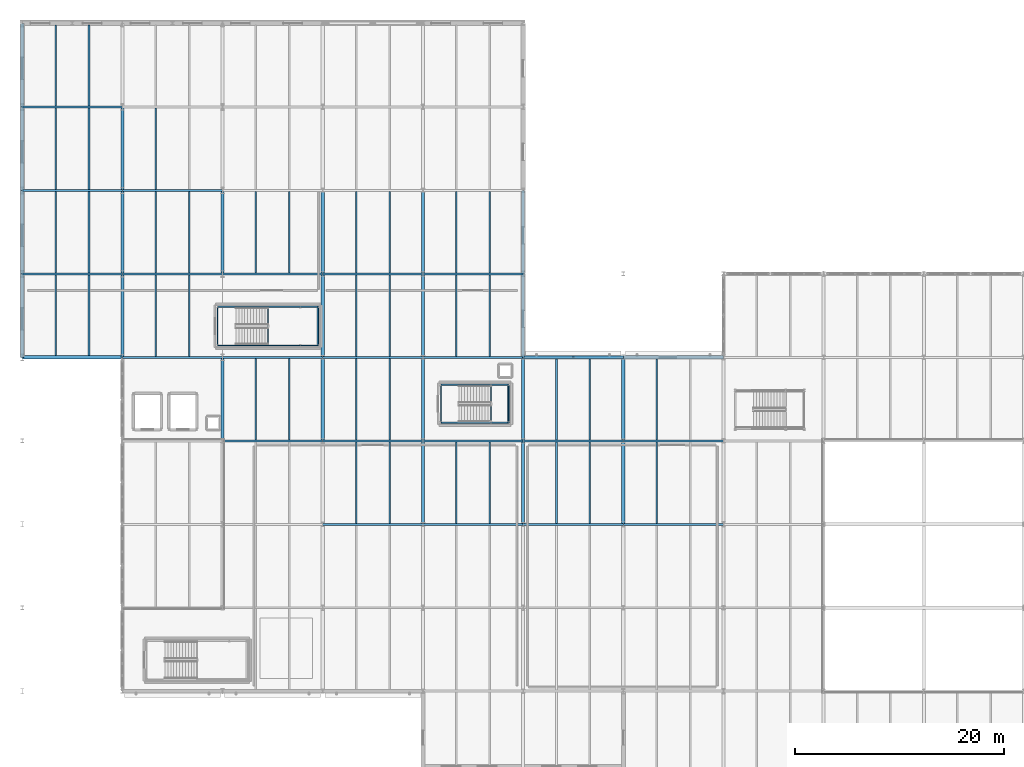
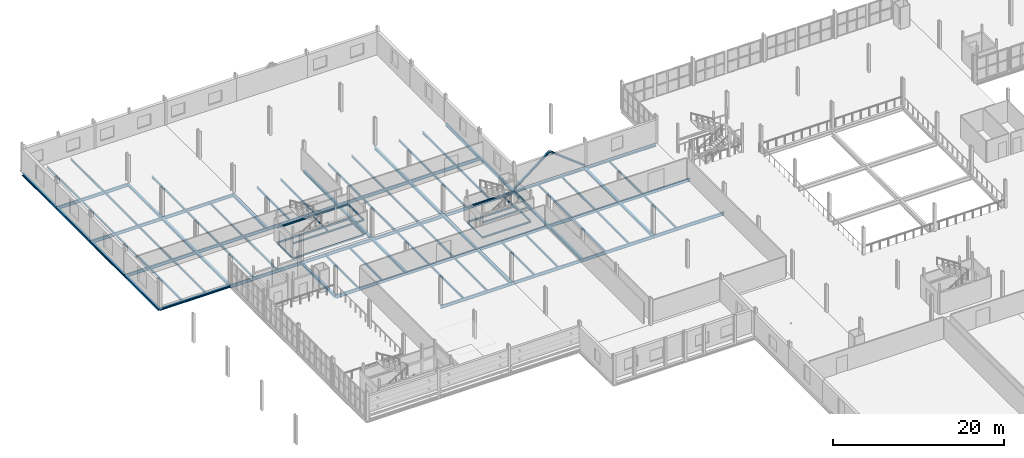
# One storey, part 37 of 78: 99 beams, 2 members.
"""IFC4 building model written with IfcOpenShell, lengths in metres."""

from ifc_helpers import new_model, si_unit, direction, frame, origin, origin_2d, place, context, subcontext, project, spatial, i_section, extrude, material, material_profile, profile_set, type_object, element, save


model = new_model("IFC4")

# Units and contexts
model_context = context("Model", 3, precision=1e-05, world=origin(), true_north=direction((0.0, 1.0)))
body_context = subcontext(model_context, "Body", "Model", "MODEL_VIEW")
ifc_project = project(units=[si_unit("LENGTHUNIT", "METRE"), si_unit("AREAUNIT", "SQUARE_METRE"), si_unit("VOLUMEUNIT", "CUBIC_METRE"), si_unit("PLANEANGLEUNIT", "RADIAN"), si_unit("MASSUNIT", "GRAM", prefix="KILO")], contexts=[model_context])

# Site, building, storey
site_placement = place(None, origin())
site = spatial("IfcSite", under=ifc_project, at=site_placement, CompositionType="ELEMENT")
building_placement = place(site_placement, origin())
building = spatial("IfcBuilding", under=site, at=building_placement, Name="Alderhovde Museum", CompositionType="ELEMENT")
storey_placement = place(building_placement, frame((0.0, 0.0, 4.5)))
storey = spatial("IfcBuildingStorey", under=building, at=storey_placement, Name="L01", CompositionType="ELEMENT", Elevation=4.5)

# Beams
ifc_material_1 = material(Name="Steel S355J2", Category="steel")
ifc_material_profile_1 = material_profile(ifc_material_1, i_section(OverallWidth=0.300048828125, OverallDepth=0.330078125, WebThickness=0.009521484375, FlangeThickness=0.0166015625, FilletRadius=0.027099609375, at=origin_2d()), Name="HEA 340")
ifc_profile_set_1 = profile_set([ifc_material_profile_1], Name="Steel S355J2")
beam_type_1 = type_object("IfcBeamType", Name="BM-HEA340", PredefinedType="BEAM", material=ifc_profile_set_1)
for number, where, z_axis, x_axis, name in (
    (1, (9.60009765625, 80.0, -0.425048828125), (0.0, 1.0, 0.0), (-1.0, 0.0, 0.0), "L01 Grid Beam X=9.6 (80.0 TO 88.0)"),
    (2, (9.60009765625, 88.0, -0.425048828125), (0.0, 1.0, 0.0), (-1.0, 0.0, 0.0), "L01 Grid Beam X=9.6 (88.0 TO 96.0)"),
    (3, (9.60009765625, 96.0, -0.425048828125), (0.0, 1.0, 0.0), (-1.0, 0.0, 0.0), "L01 Grid Beam X=9.6 (96.0 TO 104.0)"),
    (4, (9.60009765625, 104.0, -0.425048828125), (0.0, 1.0, 0.0), (-1.0, 0.0, 0.0), "L01 Grid Beam X=9.6 (104.0 TO 112.0)"),
    (5, (19.199951171875, 80.0, -0.425048828125), (0.0, 1.0, 0.0), (-1.0, 0.0, 0.0), "L01 Grid Beam X=19.2 (80.0 TO 88.0)"),
    (6, (19.199951171875, 88.0, -0.425048828125), (0.0, 1.0, 0.0), (-1.0, 0.0, 0.0), "L01 Grid Beam X=19.2 (88.0 TO 96.0)"),
    (7, (19.199951171875, 96.0, -0.425048828125), (0.0, 1.0, 0.0), (-1.0, 0.0, 0.0), "L01 Grid Beam X=19.2 (96.0 TO 104.0)"),
    (8, (28.800048828125, 72.0, -0.425048828125), (0.0, 1.0, 0.0), (-1.0, 0.0, 0.0), "L01 Grid Beam X=28.8 (72.0 TO 80.0)"),
    (9, (28.800048828125, 88.0, -0.425048828125), (0.0, 1.0, 0.0), (-1.0, 0.0, 0.0), "L01 Grid Beam X=28.8 (88.0 TO 96.0)"),
    (10, (38.39990234375, 72.0, -0.425048828125), (0.0, 1.0, 0.0), (-1.0, 0.0, 0.0), "L01 Grid Beam X=38.4 (72.0 TO 80.0)"),
    (11, (38.39990234375, 80.0, -0.425048828125), (0.0, 1.0, 0.0), (-1.0, 0.0, 0.0), "L01 Grid Beam X=38.4 (80.0 TO 88.0)"),
    (12, (38.39990234375, 88.0, -0.425048828125), (0.0, 1.0, 0.0), (-1.0, 0.0, 0.0), "L01 Grid Beam X=38.4 (88.0 TO 96.0)"),
    (13, (48.0, 64.0, -0.425048828125), (0.0, 1.0, 0.0), (-1.0, 0.0, 0.0), "L01 Grid Beam X=48.0 (64.0 TO 72.0)"),
    (14, (48.0, 72.0, -0.425048828125), (0.0, 1.0, 0.0), (-1.0, 0.0, 0.0), "L01 Grid Beam X=48.0 (72.0 TO 80.0)"),
    (15, (48.0, 80.0, -0.425048828125), (0.0, 1.0, 0.0), (-1.0, 0.0, 0.0), "L01 Grid Beam X=48.0 (80.0 TO 88.0)"),
    (16, (48.0, 88.0, -0.425048828125), (0.0, 1.0, 0.0), (-1.0, 0.0, 0.0), "L01 Grid Beam X=48.0 (88.0 TO 96.0)"),
    (17, (57.60009765625, 64.0, -0.425048828125), (0.0, 1.0, 0.0), (-1.0, 0.0, 0.0), "L01 Grid Beam X=57.6 (64.0 TO 72.0)"),
    (18, (57.60009765625, 72.0, -0.425048828125), (0.0, 1.0, 0.0), (-1.0, 0.0, 0.0), "L01 Grid Beam X=57.6 (72.0 TO 80.0)"),
    (19, (57.60009765625, 80.0, -0.425048828125), (0.0, 1.0, 0.0), (-1.0, 0.0, 0.0), "L01 Grid Beam X=57.6 (80.0 TO 88.0)"),
    (20, (57.60009765625, 88.0, -0.425048828125), (0.0, 1.0, 0.0), (-1.0, 0.0, 0.0), "L01 Grid Beam X=57.6 (88.0 TO 96.0)"),
    (21, (67.199951171875, 64.0, -0.425048828125), (0.0, 1.0, 0.0), (-1.0, 0.0, 0.0), "L01 Grid Beam X=67.2 (64.0 TO 72.0)"),
    (22, (67.199951171875, 72.0, -0.425048828125), (0.0, 1.0, 0.0), (-1.0, 0.0, 0.0), "L01 Grid Beam X=67.2 (72.0 TO 80.0)"),
):
    element("IfcBeam", number, at=place(storey_placement, frame(where, z_axis=z_axis, x_axis=x_axis)), inside=storey, type_object=beam_type_1, Name=name, PredefinedType="BEAM", context=body_context, shape_type="SweptSolid", body=[
        extrude(i_section(OverallWidth=0.300048828125, OverallDepth=0.330078125, WebThickness=0.009521484375, FlangeThickness=0.0166015625, FilletRadius=0.027099609375, at=origin_2d()), origin(), (0.0, 0.0, 1.0), 8.0),
    ])
ifc_material_2 = material(Name="Steel S355J2", Category="steel")
ifc_material_profile_2 = material_profile(ifc_material_2, i_section(OverallWidth=0.1201171875, OverallDepth=0.239990234375, WebThickness=0.006103515625, FlangeThickness=0.009765625, FilletRadius=0.014892578125, at=origin_2d()), Name="IPE 240")
ifc_profile_set_2 = profile_set([ifc_material_profile_2], Name="Steel S355J2")
beam_type_2 = type_object("IfcBeamType", Name="BM-IPE240", PredefinedType="BEAM", material=ifc_profile_set_2)
for number, where, z_axis, x_axis, name in (
    (23, (28.320068359375, 81.1201171875, -0.3798828125), (1.0, 0.0, 0.0), (0.0, 1.0, 0.0), "L01 Stair ST2 Floor Trimmer S"),
    (24, (28.320068359375, 84.840087890625, -0.3798828125), (1.0, 0.0, 0.0), (0.0, 1.0, 0.0), "L01 Stair ST2 Floor Trimmer N"),
):
    element("IfcBeam", number, at=place(storey_placement, frame(where, z_axis=z_axis, x_axis=x_axis)), inside=storey, type_object=beam_type_2, Name=name, PredefinedType="BEAM", context=body_context, shape_type="SweptSolid", body=[
        extrude(i_section(OverallWidth=0.1201171875, OverallDepth=0.239990234375, WebThickness=0.006103515625, FlangeThickness=0.009765625, FilletRadius=0.014892578125, at=origin_2d()), origin(), (0.0, 0.0, 1.0), 9.679931640625),
    ])
for number, where, z_axis, x_axis, name in (
    (25, (28.320068359375, 81.1201171875, -0.3798828125), (0.0, 1.0, 0.0), (-1.0, 0.0, 0.0), "L01 Stair ST2 Floor Trimmer W"),
    (26, (38.0, 81.1201171875, -0.3798828125), (0.0, 1.0, 0.0), (-1.0, 0.0, 0.0), "L01 Stair ST2 Floor Trimmer E"),
):
    element("IfcBeam", number, at=place(storey_placement, frame(where, z_axis=z_axis, x_axis=x_axis)), inside=storey, type_object=beam_type_2, Name=name, PredefinedType="BEAM", context=body_context, shape_type="SweptSolid", body=[
        extrude(i_section(OverallWidth=0.1201171875, OverallDepth=0.239990234375, WebThickness=0.006103515625, FlangeThickness=0.009765625, FilletRadius=0.014892578125, at=origin_2d()), origin(), (0.0, 0.0, 1.0), 3.719970703125),
    ])
for number, where, z_axis, x_axis, name in (
    (27, (28.320068359375, 81.1201171875, 1.780029296875), (1.0, 0.0, 0.0), (0.0, 1.0, 0.0), "L01 Stair ST2 Landing 1 Beam S"),
    (28, (28.320068359375, 84.840087890625, 1.780029296875), (1.0, 0.0, 0.0), (0.0, 1.0, 0.0), "L01 Stair ST2 Landing 1 Beam N"),
):
    element("IfcBeam", number, at=place(storey_placement, frame(where, z_axis=z_axis, x_axis=x_axis)), inside=storey, type_object=beam_type_2, Name=name, PredefinedType="BEAM", context=body_context, shape_type="SweptSolid", body=[
        extrude(i_section(OverallWidth=0.1201171875, OverallDepth=0.239990234375, WebThickness=0.006103515625, FlangeThickness=0.009765625, FilletRadius=0.014892578125, at=origin_2d()), origin(), (0.0, 0.0, 1.0), 9.679931640625),
    ])
for number, where, z_axis, x_axis, name in (
    (29, (33.159912109375, 81.1201171875, 1.780029296875), (0.0, 1.0, 0.0), (-1.0, 0.0, 0.0), "L01 Stair ST2 Landing 1 Beam W"),
    (30, (37.919921875, 81.1201171875, 1.780029296875), (0.0, 1.0, 0.0), (-1.0, 0.0, 0.0), "L01 Stair ST2 Landing 1 Beam E"),
):
    element("IfcBeam", number, at=place(storey_placement, frame(where, z_axis=z_axis, x_axis=x_axis)), inside=storey, type_object=beam_type_2, Name=name, PredefinedType="BEAM", context=body_context, shape_type="SweptSolid", body=[
        extrude(i_section(OverallWidth=0.1201171875, OverallDepth=0.239990234375, WebThickness=0.006103515625, FlangeThickness=0.009765625, FilletRadius=0.014892578125, at=origin_2d()), origin(), (0.0, 0.0, 1.0), 3.719970703125),
    ])
for number, where, z_axis, x_axis, name in (
    (31, (49.719970703125, 73.719970703125, -0.3798828125), (1.0, 0.0, 0.0), (0.0, 1.0, 0.0), "L01 Stair ST6 Floor Trimmer S"),
    (32, (49.719970703125, 77.360107421875, -0.3798828125), (1.0, 0.0, 0.0), (0.0, 1.0, 0.0), "L01 Stair ST6 Floor Trimmer N"),
):
    element("IfcBeam", number, at=place(storey_placement, frame(where, z_axis=z_axis, x_axis=x_axis)), inside=storey, type_object=beam_type_2, Name=name, PredefinedType="BEAM", context=body_context, shape_type="SweptSolid", body=[
        extrude(i_section(OverallWidth=0.1201171875, OverallDepth=0.239990234375, WebThickness=0.006103515625, FlangeThickness=0.009765625, FilletRadius=0.014892578125, at=origin_2d()), origin(), (0.0, 0.0, 1.0), 6.52001953125),
    ])
for number, where, z_axis, x_axis, name in (
    (33, (49.719970703125, 73.719970703125, -0.3798828125), (0.0, 1.0, 0.0), (-1.0, 0.0, 0.0), "L01 Stair ST6 Floor Trimmer W"),
    (34, (56.239990234375, 73.719970703125, -0.3798828125), (0.0, 1.0, 0.0), (-1.0, 0.0, 0.0), "L01 Stair ST6 Floor Trimmer E"),
):
    element("IfcBeam", number, at=place(storey_placement, frame(where, z_axis=z_axis, x_axis=x_axis)), inside=storey, type_object=beam_type_2, Name=name, PredefinedType="BEAM", context=body_context, shape_type="SweptSolid", body=[
        extrude(i_section(OverallWidth=0.1201171875, OverallDepth=0.239990234375, WebThickness=0.006103515625, FlangeThickness=0.009765625, FilletRadius=0.014892578125, at=origin_2d()), origin(), (0.0, 0.0, 1.0), 3.64013671875),
    ])
for number, where, z_axis, x_axis, name in (
    (35, (49.719970703125, 73.719970703125, 1.780029296875), (1.0, 0.0, 0.0), (0.0, 1.0, 0.0), "L01 Stair ST6 Landing 1 Beam S"),
    (36, (49.719970703125, 77.360107421875, 1.780029296875), (1.0, 0.0, 0.0), (0.0, 1.0, 0.0), "L01 Stair ST6 Landing 1 Beam N"),
):
    element("IfcBeam", number, at=place(storey_placement, frame(where, z_axis=z_axis, x_axis=x_axis)), inside=storey, type_object=beam_type_2, Name=name, PredefinedType="BEAM", context=body_context, shape_type="SweptSolid", body=[
        extrude(i_section(OverallWidth=0.1201171875, OverallDepth=0.239990234375, WebThickness=0.006103515625, FlangeThickness=0.009765625, FilletRadius=0.014892578125, at=origin_2d()), origin(), (0.0, 0.0, 1.0), 6.52001953125),
    ])
for number, where, z_axis, x_axis, name in (
    (37, (54.52001953125, 73.719970703125, 1.780029296875), (0.0, 1.0, 0.0), (-1.0, 0.0, 0.0), "L01 Stair ST6 Landing 1 Beam W"),
    (38, (56.159912109375, 73.719970703125, 1.780029296875), (0.0, 1.0, 0.0), (-1.0, 0.0, 0.0), "L01 Stair ST6 Landing 1 Beam E"),
):
    element("IfcBeam", number, at=place(storey_placement, frame(where, z_axis=z_axis, x_axis=x_axis)), inside=storey, type_object=beam_type_2, Name=name, PredefinedType="BEAM", context=body_context, shape_type="SweptSolid", body=[
        extrude(i_section(OverallWidth=0.1201171875, OverallDepth=0.239990234375, WebThickness=0.006103515625, FlangeThickness=0.009765625, FilletRadius=0.014892578125, at=origin_2d()), origin(), (0.0, 0.0, 1.0), 3.64013671875),
    ])
ifc_material_3 = material(Name="Steel S355J2", Category="steel")
ifc_material_profile_3 = material_profile(ifc_material_3, i_section(OverallWidth=0.18994140625, OverallDepth=0.449951171875, WebThickness=0.009521484375, FlangeThickness=0.0146484375, FilletRadius=0.02099609375, at=origin_2d()), Name="IPE 450")
ifc_profile_set_3 = profile_set([ifc_material_profile_3], Name="Steel S355J2")
beam_type_3 = type_object("IfcBeamType", Name="BM-IPE450", PredefinedType="BEAM", material=ifc_profile_set_3)
for number, where, z_axis, x_axis, name in (
    (39, (38.39990234375, 64.0, -0.485107421875), (1.0, 0.0, 0.0), (0.0, 1.0, 0.0), "L01 Grid Beam Y=64.0 (38.4 TO 48.0)"),
    (40, (48.0, 64.0, -0.485107421875), (1.0, 0.0, 0.0), (0.0, 1.0, 0.0), "L01 Grid Beam Y=64.0 (48.0 TO 57.6)"),
):
    element("IfcBeam", number, at=place(storey_placement, frame(where, z_axis=z_axis, x_axis=x_axis)), inside=storey, type_object=beam_type_3, Name=name, PredefinedType="BEAM", context=body_context, shape_type="SweptSolid", body=[
        extrude(i_section(OverallWidth=0.18994140625, OverallDepth=0.449951171875, WebThickness=0.009521484375, FlangeThickness=0.0146484375, FilletRadius=0.02099609375, at=origin_2d()), origin(), (0.0, 0.0, 1.0), 9.60009765625),
    ])
beam_1_placement = place(storey_placement, frame((57.60009765625, 64.0, -0.485107421875), z_axis=(1.0, 0.0, 0.0), x_axis=(0.0, 1.0, 0.0)))
element("IfcBeam", 41, at=beam_1_placement, inside=storey, type_object=beam_type_3, Name="L01 Grid Beam Y=64.0 (57.6 TO 67.2)", PredefinedType="BEAM", context=body_context, shape_type="SweptSolid", body=[
    extrude(i_section(OverallWidth=0.18994140625, OverallDepth=0.449951171875, WebThickness=0.009521484375, FlangeThickness=0.0146484375, FilletRadius=0.02099609375, at=origin_2d()), origin(), (0.0, 0.0, 1.0), 9.599853515625),
])
beam_2_placement = place(storey_placement, frame((67.199951171875, 64.0, -0.485107421875), z_axis=(1.0, 0.0, 0.0), x_axis=(0.0, 1.0, 0.0)))
element("IfcBeam", 42, at=beam_2_placement, inside=storey, type_object=beam_type_3, Name="L01 Grid Beam Y=64.0 (67.2 TO 76.8)", PredefinedType="BEAM", context=body_context, shape_type="SweptSolid", body=[
    extrude(i_section(OverallWidth=0.18994140625, OverallDepth=0.449951171875, WebThickness=0.009521484375, FlangeThickness=0.0146484375, FilletRadius=0.02099609375, at=origin_2d()), origin(), (0.0, 0.0, 1.0), 9.60009765625),
])
beam_3_placement = place(storey_placement, frame((28.800048828125, 72.0, -0.485107421875), z_axis=(1.0, 0.0, 0.0), x_axis=(0.0, 1.0, 0.0)))
element("IfcBeam", 43, at=beam_3_placement, inside=storey, type_object=beam_type_3, Name="L01 Grid Beam Y=72.0 (28.8 TO 38.4)", PredefinedType="BEAM", context=body_context, shape_type="SweptSolid", body=[
    extrude(i_section(OverallWidth=0.18994140625, OverallDepth=0.449951171875, WebThickness=0.009521484375, FlangeThickness=0.0146484375, FilletRadius=0.02099609375, at=origin_2d()), origin(), (0.0, 0.0, 1.0), 9.599853515625),
])
for number, where, z_axis, x_axis, name in (
    (44, (38.39990234375, 72.0, -0.485107421875), (1.0, 0.0, 0.0), (0.0, 1.0, 0.0), "L01 Grid Beam Y=72.0 (38.4 TO 48.0)"),
    (45, (48.0, 72.0, -0.485107421875), (1.0, 0.0, 0.0), (0.0, 1.0, 0.0), "L01 Grid Beam Y=72.0 (48.0 TO 57.6)"),
):
    element("IfcBeam", number, at=place(storey_placement, frame(where, z_axis=z_axis, x_axis=x_axis)), inside=storey, type_object=beam_type_3, Name=name, PredefinedType="BEAM", context=body_context, shape_type="SweptSolid", body=[
        extrude(i_section(OverallWidth=0.18994140625, OverallDepth=0.449951171875, WebThickness=0.009521484375, FlangeThickness=0.0146484375, FilletRadius=0.02099609375, at=origin_2d()), origin(), (0.0, 0.0, 1.0), 9.60009765625),
    ])
beam_4_placement = place(storey_placement, frame((57.60009765625, 72.0, -0.485107421875), z_axis=(1.0, 0.0, 0.0), x_axis=(0.0, 1.0, 0.0)))
element("IfcBeam", 46, at=beam_4_placement, inside=storey, type_object=beam_type_3, Name="L01 Grid Beam Y=72.0 (57.6 TO 67.2)", PredefinedType="BEAM", context=body_context, shape_type="SweptSolid", body=[
    extrude(i_section(OverallWidth=0.18994140625, OverallDepth=0.449951171875, WebThickness=0.009521484375, FlangeThickness=0.0146484375, FilletRadius=0.02099609375, at=origin_2d()), origin(), (0.0, 0.0, 1.0), 9.599853515625),
])
for number, where, z_axis, x_axis, name in (
    (47, (67.199951171875, 72.0, -0.485107421875), (1.0, 0.0, 0.0), (0.0, 1.0, 0.0), "L01 Grid Beam Y=72.0 (67.2 TO 76.8)"),
    (48, (19.199951171875, 80.0, -0.485107421875), (1.0, 0.0, 0.0), (0.0, 1.0, 0.0), "L01 Grid Beam Y=80.0 (19.2 TO 28.8)"),
):
    element("IfcBeam", number, at=place(storey_placement, frame(where, z_axis=z_axis, x_axis=x_axis)), inside=storey, type_object=beam_type_3, Name=name, PredefinedType="BEAM", context=body_context, shape_type="SweptSolid", body=[
        extrude(i_section(OverallWidth=0.18994140625, OverallDepth=0.449951171875, WebThickness=0.009521484375, FlangeThickness=0.0146484375, FilletRadius=0.02099609375, at=origin_2d()), origin(), (0.0, 0.0, 1.0), 9.60009765625),
    ])
beam_5_placement = place(storey_placement, frame((28.800048828125, 80.0, -0.485107421875), z_axis=(1.0, 0.0, 0.0), x_axis=(0.0, 1.0, 0.0)))
element("IfcBeam", 49, at=beam_5_placement, inside=storey, type_object=beam_type_3, Name="L01 Grid Beam Y=80.0 (28.8 TO 38.4)", PredefinedType="BEAM", context=body_context, shape_type="SweptSolid", body=[
    extrude(i_section(OverallWidth=0.18994140625, OverallDepth=0.449951171875, WebThickness=0.009521484375, FlangeThickness=0.0146484375, FilletRadius=0.02099609375, at=origin_2d()), origin(), (0.0, 0.0, 1.0), 9.599853515625),
])
for number, where, z_axis, x_axis, name in (
    (50, (38.39990234375, 80.0, -0.485107421875), (1.0, 0.0, 0.0), (0.0, 1.0, 0.0), "L01 Grid Beam Y=80.0 (38.4 TO 48.0)"),
    (51, (48.0, 80.0, -0.485107421875), (1.0, 0.0, 0.0), (0.0, 1.0, 0.0), "L01 Grid Beam Y=80.0 (48.0 TO 57.6)"),
):
    element("IfcBeam", number, at=place(storey_placement, frame(where, z_axis=z_axis, x_axis=x_axis)), inside=storey, type_object=beam_type_3, Name=name, PredefinedType="BEAM", context=body_context, shape_type="SweptSolid", body=[
        extrude(i_section(OverallWidth=0.18994140625, OverallDepth=0.449951171875, WebThickness=0.009521484375, FlangeThickness=0.0146484375, FilletRadius=0.02099609375, at=origin_2d()), origin(), (0.0, 0.0, 1.0), 9.60009765625),
    ])
beam_6_placement = place(storey_placement, frame((9.60009765625, 88.0, -0.485107421875), z_axis=(1.0, 0.0, 0.0), x_axis=(0.0, 1.0, 0.0)))
element("IfcBeam", 52, at=beam_6_placement, inside=storey, type_object=beam_type_3, Name="L01 Grid Beam Y=88.0 (9.6 TO 19.2)", PredefinedType="BEAM", context=body_context, shape_type="SweptSolid", body=[
    extrude(i_section(OverallWidth=0.18994140625, OverallDepth=0.449951171875, WebThickness=0.009521484375, FlangeThickness=0.0146484375, FilletRadius=0.02099609375, at=origin_2d()), origin(), (0.0, 0.0, 1.0), 9.599853515625),
])
beam_7_placement = place(storey_placement, frame((19.199951171875, 88.0, -0.485107421875), z_axis=(1.0, 0.0, 0.0), x_axis=(0.0, 1.0, 0.0)))
element("IfcBeam", 53, at=beam_7_placement, inside=storey, type_object=beam_type_3, Name="L01 Grid Beam Y=88.0 (19.2 TO 28.8)", PredefinedType="BEAM", context=body_context, shape_type="SweptSolid", body=[
    extrude(i_section(OverallWidth=0.18994140625, OverallDepth=0.449951171875, WebThickness=0.009521484375, FlangeThickness=0.0146484375, FilletRadius=0.02099609375, at=origin_2d()), origin(), (0.0, 0.0, 1.0), 9.60009765625),
])
beam_8_placement = place(storey_placement, frame((28.800048828125, 88.0, -0.485107421875), z_axis=(1.0, 0.0, 0.0), x_axis=(0.0, 1.0, 0.0)))
element("IfcBeam", 54, at=beam_8_placement, inside=storey, type_object=beam_type_3, Name="L01 Grid Beam Y=88.0 (28.8 TO 38.4)", PredefinedType="BEAM", context=body_context, shape_type="SweptSolid", body=[
    extrude(i_section(OverallWidth=0.18994140625, OverallDepth=0.449951171875, WebThickness=0.009521484375, FlangeThickness=0.0146484375, FilletRadius=0.02099609375, at=origin_2d()), origin(), (0.0, 0.0, 1.0), 9.599853515625),
])
for number, where, z_axis, x_axis, name in (
    (55, (38.39990234375, 88.0, -0.485107421875), (1.0, 0.0, 0.0), (0.0, 1.0, 0.0), "L01 Grid Beam Y=88.0 (38.4 TO 48.0)"),
    (56, (48.0, 88.0, -0.485107421875), (1.0, 0.0, 0.0), (0.0, 1.0, 0.0), "L01 Grid Beam Y=88.0 (48.0 TO 57.6)"),
):
    element("IfcBeam", number, at=place(storey_placement, frame(where, z_axis=z_axis, x_axis=x_axis)), inside=storey, type_object=beam_type_3, Name=name, PredefinedType="BEAM", context=body_context, shape_type="SweptSolid", body=[
        extrude(i_section(OverallWidth=0.18994140625, OverallDepth=0.449951171875, WebThickness=0.009521484375, FlangeThickness=0.0146484375, FilletRadius=0.02099609375, at=origin_2d()), origin(), (0.0, 0.0, 1.0), 9.60009765625),
    ])
beam_9_placement = place(storey_placement, frame((9.60009765625, 96.0, -0.485107421875), z_axis=(1.0, 0.0, 0.0), x_axis=(0.0, 1.0, 0.0)))
element("IfcBeam", 57, at=beam_9_placement, inside=storey, type_object=beam_type_3, Name="L01 Grid Beam Y=96.0 (9.6 TO 19.2)", PredefinedType="BEAM", context=body_context, shape_type="SweptSolid", body=[
    extrude(i_section(OverallWidth=0.18994140625, OverallDepth=0.449951171875, WebThickness=0.009521484375, FlangeThickness=0.0146484375, FilletRadius=0.02099609375, at=origin_2d()), origin(), (0.0, 0.0, 1.0), 9.599853515625),
])
beam_10_placement = place(storey_placement, frame((19.199951171875, 96.0, -0.485107421875), z_axis=(1.0, 0.0, 0.0), x_axis=(0.0, 1.0, 0.0)))
element("IfcBeam", 58, at=beam_10_placement, inside=storey, type_object=beam_type_3, Name="L01 Grid Beam Y=96.0 (19.2 TO 28.8)", PredefinedType="BEAM", context=body_context, shape_type="SweptSolid", body=[
    extrude(i_section(OverallWidth=0.18994140625, OverallDepth=0.449951171875, WebThickness=0.009521484375, FlangeThickness=0.0146484375, FilletRadius=0.02099609375, at=origin_2d()), origin(), (0.0, 0.0, 1.0), 9.60009765625),
])
beam_11_placement = place(storey_placement, frame((9.60009765625, 104.0, -0.485107421875), z_axis=(1.0, 0.0, 0.0), x_axis=(0.0, 1.0, 0.0)))
element("IfcBeam", 59, at=beam_11_placement, inside=storey, type_object=beam_type_3, Name="L01 Grid Beam Y=104.0 (9.6 TO 19.2)", PredefinedType="BEAM", context=body_context, shape_type="SweptSolid", body=[
    extrude(i_section(OverallWidth=0.18994140625, OverallDepth=0.449951171875, WebThickness=0.009521484375, FlangeThickness=0.0146484375, FilletRadius=0.02099609375, at=origin_2d()), origin(), (0.0, 0.0, 1.0), 9.599853515625),
])

# Members
ifc_material_4 = material(Name="Steel S355J2", Category="steel")
ifc_material_profile_4 = material_profile(ifc_material_4, i_section(OverallWidth=0.239990234375, OverallDepth=0.22998046875, WebThickness=0.007568359375, FlangeThickness=0.011962890625, FilletRadius=0.02099609375, at=origin_2d()), Name="HEA 240")
ifc_profile_set_4 = profile_set([ifc_material_profile_4], Name="Steel S355J2")
member_type = type_object("IfcMemberType", Name="BR-HEA240", PredefinedType="BRACE", material=ifc_profile_set_4)
member_1_placement = place(storey_placement, frame((57.60009765625, 80.0, 0.0), z_axis=(0.790405319037, 0.0, 0.612584224118), x_axis=(0.0, 1.0, 0.0)))
element("IfcMember", 60, at=member_1_placement, inside=storey, type_object=member_type, Name="L01 Chevron Brace BR-V1-N-L", PredefinedType="BRACE", context=body_context, shape_type="SweptSolid", body=[
    extrude(i_section(OverallWidth=0.239990234375, OverallDepth=0.22998046875, WebThickness=0.007568359375, FlangeThickness=0.011962890625, FilletRadius=0.02099609375, at=origin_2d()), origin(), (0.0, 0.0, 1.0), 6.072509765625),
])
member_2_placement = place(storey_placement, frame((67.199951171875, 80.0, 0.0), z_axis=(-0.790420405146, 0.0, 0.612564758314), x_axis=(0.0, -1.0, 0.0)))
element("IfcMember", 61, at=member_2_placement, inside=storey, type_object=member_type, Name="L01 Chevron Brace BR-V1-N-R", PredefinedType="BRACE", context=body_context, shape_type="SweptSolid", body=[
    extrude(i_section(OverallWidth=0.239990234375, OverallDepth=0.22998046875, WebThickness=0.007568359375, FlangeThickness=0.011962890625, FilletRadius=0.02099609375, at=origin_2d()), origin(), (0.0, 0.0, 1.0), 6.07275390625),
])

# Beams
ifc_material_5 = material(Name="Steel S355J2", Category="steel")
ifc_material_profile_5 = material_profile(ifc_material_5, i_section(OverallWidth=0.14990234375, OverallDepth=0.300048828125, WebThickness=0.007080078125, FlangeThickness=0.0107421875, FilletRadius=0.014892578125, at=origin_2d()), Name="IPE 300")
ifc_profile_set_5 = profile_set([ifc_material_profile_5], Name="Steel S355J2")
beam_type_4 = type_object("IfcBeamType", Name="JST-IPE300", PredefinedType="JOIST", material=ifc_profile_set_5)
for number, where, z_axis, x_axis, name in (
    (62, (12.800048828125, 80.14990234375, -0.409912109375), (0.0, 1.0, 0.0), (-1.0, 0.0, 0.0), "L01 Composite Joist X=12.8 (80.0 TO 88.0)"),
    (63, (16.0, 80.14990234375, -0.409912109375), (0.0, 1.0, 0.0), (-1.0, 0.0, 0.0), "L01 Composite Joist X=16.0 (80.0 TO 88.0)"),
):
    element("IfcBeam", number, at=place(storey_placement, frame(where, z_axis=z_axis, x_axis=x_axis)), inside=storey, type_object=beam_type_4, Name=name, PredefinedType="JOIST", context=body_context, shape_type="SweptSolid", body=[
        extrude(i_section(OverallWidth=0.14990234375, OverallDepth=0.300048828125, WebThickness=0.007080078125, FlangeThickness=0.0107421875, FilletRadius=0.014892578125, at=origin_2d()), origin(), (0.0, 0.0, 1.0), 7.755126953125),
    ])
for number, where, z_axis, x_axis, name in (
    (64, (12.800048828125, 88.094970703125, -0.409912109375), (0.0, 1.0, 0.0), (-1.0, 0.0, 0.0), "L01 Composite Joist X=12.8 (88.0 TO 96.0)"),
    (65, (16.0, 88.094970703125, -0.409912109375), (0.0, 1.0, 0.0), (-1.0, 0.0, 0.0), "L01 Composite Joist X=16.0 (88.0 TO 96.0)"),
    (66, (12.800048828125, 96.094970703125, -0.409912109375), (0.0, 1.0, 0.0), (-1.0, 0.0, 0.0), "L01 Composite Joist X=12.8 (96.0 TO 104.0)"),
    (67, (16.0, 96.094970703125, -0.409912109375), (0.0, 1.0, 0.0), (-1.0, 0.0, 0.0), "L01 Composite Joist X=16.0 (96.0 TO 104.0)"),
):
    element("IfcBeam", number, at=place(storey_placement, frame(where, z_axis=z_axis, x_axis=x_axis)), inside=storey, type_object=beam_type_4, Name=name, PredefinedType="JOIST", context=body_context, shape_type="SweptSolid", body=[
        extrude(i_section(OverallWidth=0.14990234375, OverallDepth=0.300048828125, WebThickness=0.007080078125, FlangeThickness=0.0107421875, FilletRadius=0.014892578125, at=origin_2d()), origin(), (0.0, 0.0, 1.0), 7.81005859375),
    ])
for number, where, z_axis, x_axis, name in (
    (68, (12.800048828125, 104.094970703125, -0.409912109375), (0.0, 1.0, 0.0), (-1.0, 0.0, 0.0), "L01 Composite Joist X=12.8 (104.0 TO 112.0)"),
    (69, (16.0, 104.094970703125, -0.409912109375), (0.0, 1.0, 0.0), (-1.0, 0.0, 0.0), "L01 Composite Joist X=16.0 (104.0 TO 112.0)"),
):
    element("IfcBeam", number, at=place(storey_placement, frame(where, z_axis=z_axis, x_axis=x_axis)), inside=storey, type_object=beam_type_4, Name=name, PredefinedType="JOIST", context=body_context, shape_type="SweptSolid", body=[
        extrude(i_section(OverallWidth=0.14990234375, OverallDepth=0.300048828125, WebThickness=0.007080078125, FlangeThickness=0.0107421875, FilletRadius=0.014892578125, at=origin_2d()), origin(), (0.0, 0.0, 1.0), 7.755126953125),
    ])
for number, where, z_axis, x_axis, name in (
    (70, (22.39990234375, 80.094970703125, -0.409912109375), (0.0, 1.0, 0.0), (-1.0, 0.0, 0.0), "L01 Composite Joist X=22.4 (80.0 TO 88.0)"),
    (71, (25.60009765625, 80.094970703125, -0.409912109375), (0.0, 1.0, 0.0), (-1.0, 0.0, 0.0), "L01 Composite Joist X=25.6 (80.0 TO 88.0)"),
    (72, (22.39990234375, 88.094970703125, -0.409912109375), (0.0, 1.0, 0.0), (-1.0, 0.0, 0.0), "L01 Composite Joist X=22.4 (88.0 TO 96.0)"),
    (73, (25.60009765625, 88.094970703125, -0.409912109375), (0.0, 1.0, 0.0), (-1.0, 0.0, 0.0), "L01 Composite Joist X=25.6 (88.0 TO 96.0)"),
    (74, (22.39990234375, 96.094970703125, -0.409912109375), (0.0, 1.0, 0.0), (-1.0, 0.0, 0.0), "L01 Composite Joist X=22.4 (96.0 TO 104.0)"),
    (75, (32.0, 72.094970703125, -0.409912109375), (0.0, 1.0, 0.0), (-1.0, 0.0, 0.0), "L01 Composite Joist X=32.0 (72.0 TO 80.0)"),
    (76, (35.199951171875, 72.094970703125, -0.409912109375), (0.0, 1.0, 0.0), (-1.0, 0.0, 0.0), "L01 Composite Joist X=35.2 (72.0 TO 80.0)"),
    (77, (32.0, 88.094970703125, -0.409912109375), (0.0, 1.0, 0.0), (-1.0, 0.0, 0.0), "L01 Composite Joist X=32.0 (88.0 TO 96.0)"),
    (78, (35.199951171875, 88.094970703125, -0.409912109375), (0.0, 1.0, 0.0), (-1.0, 0.0, 0.0), "L01 Composite Joist X=35.2 (88.0 TO 96.0)"),
    (79, (41.60009765625, 64.094970703125, -0.409912109375), (0.0, 1.0, 0.0), (-1.0, 0.0, 0.0), "L01 Composite Joist X=41.6 (64.0 TO 72.0)"),
    (80, (44.800048828125, 64.094970703125, -0.409912109375), (0.0, 1.0, 0.0), (-1.0, 0.0, 0.0), "L01 Composite Joist X=44.8 (64.0 TO 72.0)"),
    (81, (41.60009765625, 72.094970703125, -0.409912109375), (0.0, 1.0, 0.0), (-1.0, 0.0, 0.0), "L01 Composite Joist X=41.6 (72.0 TO 80.0)"),
    (82, (44.800048828125, 72.094970703125, -0.409912109375), (0.0, 1.0, 0.0), (-1.0, 0.0, 0.0), "L01 Composite Joist X=44.8 (72.0 TO 80.0)"),
    (83, (41.60009765625, 80.094970703125, -0.409912109375), (0.0, 1.0, 0.0), (-1.0, 0.0, 0.0), "L01 Composite Joist X=41.6 (80.0 TO 88.0)"),
    (84, (44.800048828125, 80.094970703125, -0.409912109375), (0.0, 1.0, 0.0), (-1.0, 0.0, 0.0), "L01 Composite Joist X=44.8 (80.0 TO 88.0)"),
    (85, (41.60009765625, 88.094970703125, -0.409912109375), (0.0, 1.0, 0.0), (-1.0, 0.0, 0.0), "L01 Composite Joist X=41.6 (88.0 TO 96.0)"),
    (86, (44.800048828125, 88.094970703125, -0.409912109375), (0.0, 1.0, 0.0), (-1.0, 0.0, 0.0), "L01 Composite Joist X=44.8 (88.0 TO 96.0)"),
    (87, (51.199951171875, 64.094970703125, -0.409912109375), (0.0, 1.0, 0.0), (-1.0, 0.0, 0.0), "L01 Composite Joist X=51.2 (64.0 TO 72.0)"),
    (88, (54.39990234375, 64.094970703125, -0.409912109375), (0.0, 1.0, 0.0), (-1.0, 0.0, 0.0), "L01 Composite Joist X=54.4 (64.0 TO 72.0)"),
    (89, (51.199951171875, 80.094970703125, -0.409912109375), (0.0, 1.0, 0.0), (-1.0, 0.0, 0.0), "L01 Composite Joist X=51.2 (80.0 TO 88.0)"),
    (90, (54.39990234375, 80.094970703125, -0.409912109375), (0.0, 1.0, 0.0), (-1.0, 0.0, 0.0), "L01 Composite Joist X=54.4 (80.0 TO 88.0)"),
    (91, (51.199951171875, 88.094970703125, -0.409912109375), (0.0, 1.0, 0.0), (-1.0, 0.0, 0.0), "L01 Composite Joist X=51.2 (88.0 TO 96.0)"),
    (92, (54.39990234375, 88.094970703125, -0.409912109375), (0.0, 1.0, 0.0), (-1.0, 0.0, 0.0), "L01 Composite Joist X=54.4 (88.0 TO 96.0)"),
    (93, (60.800048828125, 64.094970703125, -0.409912109375), (0.0, 1.0, 0.0), (-1.0, 0.0, 0.0), "L01 Composite Joist X=60.8 (64.0 TO 72.0)"),
    (94, (64.0, 64.094970703125, -0.409912109375), (0.0, 1.0, 0.0), (-1.0, 0.0, 0.0), "L01 Composite Joist X=64.0 (64.0 TO 72.0)"),
):
    element("IfcBeam", number, at=place(storey_placement, frame(where, z_axis=z_axis, x_axis=x_axis)), inside=storey, type_object=beam_type_4, Name=name, PredefinedType="JOIST", context=body_context, shape_type="SweptSolid", body=[
        extrude(i_section(OverallWidth=0.14990234375, OverallDepth=0.300048828125, WebThickness=0.007080078125, FlangeThickness=0.0107421875, FilletRadius=0.014892578125, at=origin_2d()), origin(), (0.0, 0.0, 1.0), 7.81005859375),
    ])
for number, where, z_axis, x_axis, name in (
    (95, (60.800048828125, 72.094970703125, -0.409912109375), (0.0, 1.0, 0.0), (-1.0, 0.0, 0.0), "L01 Composite Joist X=60.8 (72.0 TO 80.0)"),
    (96, (64.0, 72.094970703125, -0.409912109375), (0.0, 1.0, 0.0), (-1.0, 0.0, 0.0), "L01 Composite Joist X=64.0 (72.0 TO 80.0)"),
):
    element("IfcBeam", number, at=place(storey_placement, frame(where, z_axis=z_axis, x_axis=x_axis)), inside=storey, type_object=beam_type_4, Name=name, PredefinedType="JOIST", context=body_context, shape_type="SweptSolid", body=[
        extrude(i_section(OverallWidth=0.14990234375, OverallDepth=0.300048828125, WebThickness=0.007080078125, FlangeThickness=0.0107421875, FilletRadius=0.014892578125, at=origin_2d()), origin(), (0.0, 0.0, 1.0), 7.755126953125),
    ])
beam_12_placement = place(storey_placement, frame((70.39990234375, 64.094970703125, -0.409912109375), z_axis=(0.0, 1.0, 0.0), x_axis=(-1.0, 0.0, 0.0)))
element("IfcBeam", 97, at=beam_12_placement, inside=storey, type_object=beam_type_4, Name="L01 Composite Joist X=70.4 (64.0 TO 72.0)", PredefinedType="JOIST", context=body_context, shape_type="SweptSolid", body=[
    extrude(i_section(OverallWidth=0.14990234375, OverallDepth=0.300048828125, WebThickness=0.007080078125, FlangeThickness=0.0107421875, FilletRadius=0.014892578125, at=origin_2d()), origin(), (0.0, 0.0, 1.0), 7.81005859375),
])
beam_13_placement = place(storey_placement, frame((70.39990234375, 72.094970703125, -0.409912109375), z_axis=(0.0, 1.0, 0.0), x_axis=(-1.0, 0.0, 0.0)))
element("IfcBeam", 98, at=beam_13_placement, inside=storey, type_object=beam_type_4, Name="L01 Composite Joist X=70.4 (72.0 TO 80.0)", PredefinedType="JOIST", context=body_context, shape_type="SweptSolid", body=[
    extrude(i_section(OverallWidth=0.14990234375, OverallDepth=0.300048828125, WebThickness=0.007080078125, FlangeThickness=0.0107421875, FilletRadius=0.014892578125, at=origin_2d()), origin(), (0.0, 0.0, 1.0), 7.755126953125),
])
ifc_material_6 = material(Name="Steel S355J2", Category="steel")
ifc_material_profile_6 = material_profile(ifc_material_6, i_section(OverallWidth=0.300048828125, OverallDepth=0.2900390625, WebThickness=0.008544921875, FlangeThickness=0.013916015625, FilletRadius=0.027099609375, at=origin_2d()), Name="HEA 300")
ifc_profile_set_6 = profile_set([ifc_material_profile_6], Name="Steel S355J2")
beam_type_5 = type_object("IfcBeamType", Name="SPD-HEA300", PredefinedType="SPANDREL", material=ifc_profile_set_6)
for number, where, z_axis, x_axis, name in (
    (99, (9.60009765625, 80.0, -0.405029296875), (1.0, 0.0, 0.0), (0.0, 1.0, 0.0), "L01 Grid Beam Y=80.0 (9.6 TO 19.2)"),
    (100, (57.60009765625, 80.0, -0.405029296875), (1.0, 0.0, 0.0), (0.0, 1.0, 0.0), "L01 Grid Beam Y=80.0 (57.6 TO 67.2)"),
):
    element("IfcBeam", number, at=place(storey_placement, frame(where, z_axis=z_axis, x_axis=x_axis)), inside=storey, type_object=beam_type_5, Name=name, PredefinedType="SPANDREL", context=body_context, shape_type="SweptSolid", body=[
        extrude(i_section(OverallWidth=0.300048828125, OverallDepth=0.2900390625, WebThickness=0.008544921875, FlangeThickness=0.013916015625, FilletRadius=0.027099609375, at=origin_2d()), origin(), (0.0, 0.0, 1.0), 9.599853515625),
    ])
beam_14_placement = place(storey_placement, frame((67.199951171875, 80.0, -0.405029296875), z_axis=(1.0, 0.0, 0.0), x_axis=(0.0, 1.0, 0.0)))
element("IfcBeam", 101, at=beam_14_placement, inside=storey, type_object=beam_type_5, Name="L01 Grid Beam Y=80.0 (67.2 TO 76.8)", PredefinedType="SPANDREL", context=body_context, shape_type="SweptSolid", body=[
    extrude(i_section(OverallWidth=0.300048828125, OverallDepth=0.2900390625, WebThickness=0.008544921875, FlangeThickness=0.013916015625, FilletRadius=0.027099609375, at=origin_2d()), origin(), (0.0, 0.0, 1.0), 9.60009765625),
])

save(model, "model.ifc")
